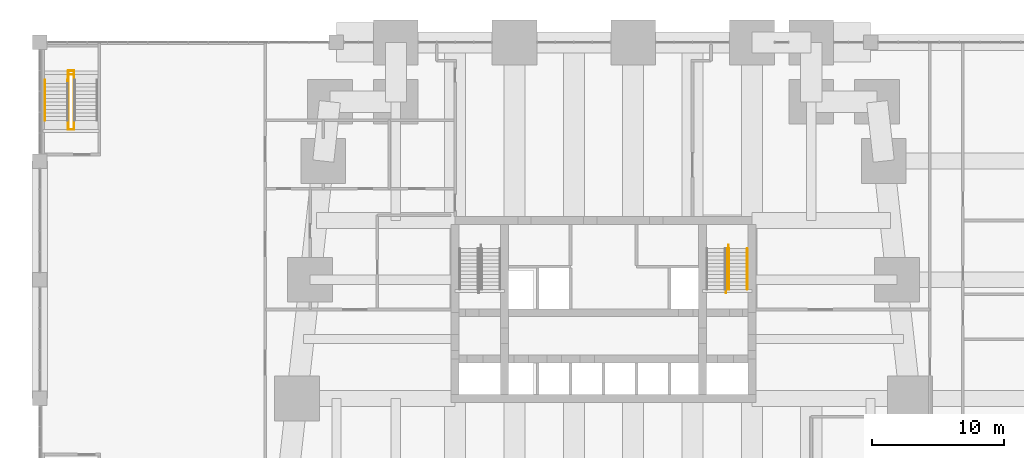
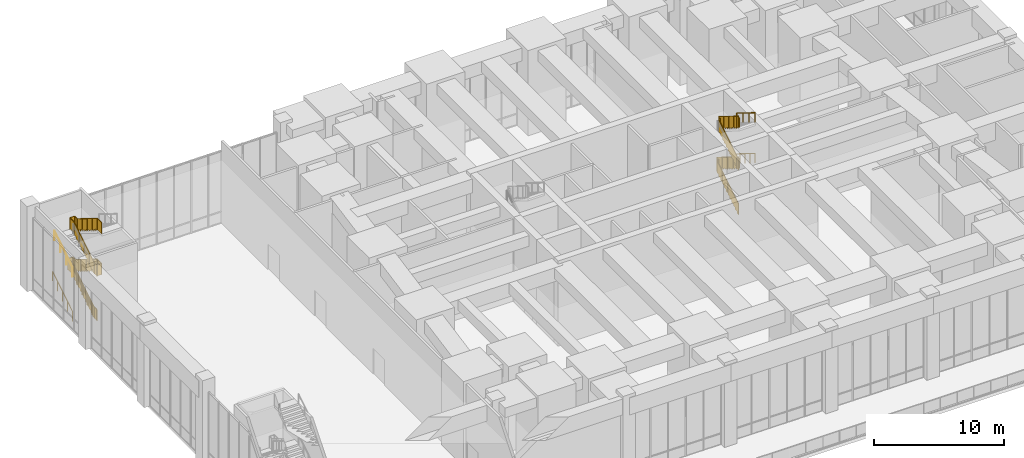
# One storey, part 25 of 26: 15 railings.
"""IFC4 building model written with IfcOpenShell, lengths in metres."""

from ifc_helpers import new_model, si_unit, direction, frame, origin, origin_2d, place, context, subcontext, project, spatial, polyline, circle, outline, extrude, material, type_object, element, save


model = new_model("IFC4")

# Units and contexts
model_context = context("Model", 3, precision=1e-05, world=origin(), true_north=direction((0.0, 1.0)))
body_context = subcontext(model_context, "Body", "Model", "MODEL_VIEW")
ifc_project = project(units=[si_unit("LENGTHUNIT", "METRE"), si_unit("AREAUNIT", "SQUARE_METRE"), si_unit("VOLUMEUNIT", "CUBIC_METRE"), si_unit("PLANEANGLEUNIT", "RADIAN"), si_unit("MASSUNIT", "GRAM", prefix="KILO")], contexts=[model_context])

# Site, building, storey
site_placement = place(None, origin())
site = spatial("IfcSite", under=ifc_project, at=site_placement, CompositionType="ELEMENT")
building_placement = place(site_placement, origin())
building = spatial("IfcBuilding", under=site, at=building_placement, Name="Kilele Tower Hotel", CompositionType="ELEMENT")
storey_placement = place(building_placement, frame((0.0, 0.0, 11.0)))
storey = spatial("IfcBuildingStorey", under=building, at=storey_placement, Name="L02", CompositionType="ELEMENT", Elevation=11.0)

# Railings
ifc_material_1 = material(Name="Steel handrail", Category="steel")
railing_type_1 = type_object("IfcRailingType", Name="Handrail 900", PredefinedType="HANDRAIL", material=ifc_material_1)
for number, where, name in (
    (1, (34.27490234375, 24.85498046875, 2.260986328125), "Handrail ST2 flight 2"),
    (2, (35.64990234375, 24.85498046875, 2.260986328125), "Handrail ST2 flight 2"),
):
    element("IfcRailing", number, at=place(storey_placement, frame(where)), inside=storey, type_object=railing_type_1, Name=name, PredefinedType="HANDRAIL", context=body_context, shape_type="SweptSolid", body=[
        extrude(circle(Radius=0.02490234375, at=origin_2d()), frame((0.0, 0.0, 0.875), z_axis=(0.0, -0.849508011154, 0.527575718722), x_axis=(1.0, 0.0, 0.0)), (0.0, 0.0, 1.0), 3.625732421875),
        extrude(circle(Radius=0.02001953125, at=origin_2d()), origin(), (0.0, 0.0, 1.0), 0.849853515625),
        extrude(circle(Radius=0.02001953125, at=origin_2d()), frame((0.0, -0.77001953125, 0.478271484375)), (0.0, 0.0, 1.0), 0.849853515625),
        extrude(circle(Radius=0.02001953125, at=origin_2d()), frame((0.0, -1.5400390625, 0.95654296875)), (0.0, 0.0, 1.0), 0.849853515625),
        extrude(circle(Radius=0.02001953125, at=origin_2d()), frame((0.0, -2.31005859375, 1.4345703125)), (0.0, 0.0, 1.0), 0.849853515625),
        extrude(circle(Radius=0.02001953125, at=origin_2d()), frame((0.0, -3.080078125, 1.912841796875)), (0.0, 0.0, 1.0), 0.849853515625),
    ])
for number, where, name in (
    (3, (34.27490234375, 24.574951171875, 6.260986328125), "Handrail ST2 flight 4"),
    (4, (35.64990234375, 24.574951171875, 6.260986328125), "Handrail ST2 flight 4"),
):
    element("IfcRailing", number, at=place(storey_placement, frame(where)), inside=storey, type_object=railing_type_1, Name=name, PredefinedType="HANDRAIL", context=body_context, shape_type="SweptSolid", body=[
        extrude(circle(Radius=0.02490234375, at=origin_2d()), frame((0.0, 0.0, 0.875), z_axis=(0.0, -0.849497083269, 0.527593314511), x_axis=(1.0, 0.0, 0.0)), (0.0, 0.0, 1.0), 3.296142578125),
        extrude(circle(Radius=0.02001953125, at=origin_2d()), origin(), (0.0, 0.0, 1.0), 0.849853515625),
        extrude(circle(Radius=0.02001953125, at=origin_2d()), frame((0.0, -0.933349609375, 0.57958984375)), (0.0, 0.0, 1.0), 0.849853515625),
        extrude(circle(Radius=0.02001953125, at=origin_2d()), frame((0.0, -1.86669921875, 1.159423828125)), (0.0, 0.0, 1.0), 0.849853515625),
        extrude(circle(Radius=0.02001953125, at=origin_2d()), frame((0.0, -2.800048828125, 1.739013671875)), (0.0, 0.0, 1.0), 0.849853515625),
    ])
for number, where, name in (
    (5, (-17.60009765625, 34.5849609375, 0.173828125), "Handrail ST3 flight 1"),
    (6, (-15.89990234375, 34.5849609375, 0.173828125), "Handrail ST3 flight 1"),
):
    element("IfcRailing", number, at=place(storey_placement, frame(where)), inside=storey, type_object=railing_type_1, Name=name, PredefinedType="HANDRAIL", context=body_context, shape_type="SweptSolid", body=[
        extrude(circle(Radius=0.02490234375, at=origin_2d()), frame((0.0, 0.0, 0.875), z_axis=(0.0, 0.849477832307, 0.527624309921), x_axis=(-1.0, 0.0, 0.0)), (0.0, 0.0, 1.0), 3.625732421875),
        extrude(circle(Radius=0.02001953125, at=origin_2d()), origin(), (0.0, 0.0, 1.0), 0.849853515625),
        extrude(circle(Radius=0.02001953125, at=origin_2d()), frame((0.0, 0.77001953125, 0.478271484375)), (0.0, 0.0, 1.0), 0.849853515625),
        extrude(circle(Radius=0.02001953125, at=origin_2d()), frame((0.0, 1.5400390625, 0.95654296875)), (0.0, 0.0, 1.0), 0.849853515625),
        extrude(circle(Radius=0.02001953125, at=origin_2d()), frame((0.0, 2.31005859375, 1.434814453125)), (0.0, 0.0, 1.0), 0.849853515625),
        extrude(circle(Radius=0.02001953125, at=origin_2d()), frame((0.0, 3.080078125, 1.9130859375)), (0.0, 0.0, 1.0), 0.849853515625),
    ])
railing_1_placement = place(storey_placement, frame((-17.60009765625, 34.5849609375, 4.347900390625)))
element("IfcRailing", 7, at=railing_1_placement, inside=storey, type_object=railing_type_1, Name="Handrail ST3 flight 3", PredefinedType="HANDRAIL", context=body_context, shape_type="SweptSolid", body=[
    extrude(circle(Radius=0.02490234375, at=origin_2d()), frame((0.0, 0.0, 0.875), z_axis=(0.0, 0.849497083269, 0.527593314511), x_axis=(-1.0, 0.0, 0.0)), (0.0, 0.0, 1.0), 3.296142578125),
    extrude(circle(Radius=0.02001953125, at=origin_2d()), origin(), (0.0, 0.0, 1.0), 0.849853515625),
    extrude(circle(Radius=0.02001953125, at=origin_2d()), frame((0.0, 0.933349609375, 0.57958984375)), (0.0, 0.0, 1.0), 0.849853515625),
    extrude(circle(Radius=0.02001953125, at=origin_2d()), frame((0.0, 1.86669921875, 1.159423828125)), (0.0, 0.0, 1.0), 0.849853515625),
    extrude(circle(Radius=0.02001953125, at=origin_2d()), frame((0.0, 2.800048828125, 1.739013671875)), (0.0, 0.0, 1.0), 0.849853515625),
])
ifc_material_2 = material(Name="Steel guard", Category="steel")
railing_type_2 = type_object("IfcRailingType", Name="Stair guard 1100", PredefinedType="GUARDRAIL", material=ifc_material_2)
railing_2_placement = place(storey_placement, frame((34.034912109375, 21.4951171875, 0.0)))
element("IfcRailing", 8, at=railing_2_placement, inside=storey, type_object=railing_type_2, Name="Stair well guard ST2 flight 1", PredefinedType="GUARDRAIL", context=body_context, shape_type="SweptSolid", body=[
    extrude(circle(Radius=0.02490234375, at=origin_2d()), frame((0.0, 0.0, 1.0751953125), z_axis=(0.0, 0.849472271014, 0.527633263525), x_axis=(-1.0, 0.0, 0.0)), (0.0, 0.0, 1.0), 3.955322265625),
    extrude(circle(Radius=0.02490234375, at=origin_2d()), frame((0.0, 3.35986328125, 3.162109375), z_axis=(1.0, 0.0, 0.0), x_axis=(0.0, 1.0, 0.0)), (0.0, 0.0, 1.0), 0.18017578125),
    extrude(circle(Radius=0.02490234375, at=origin_2d()), origin(), (0.0, 0.0, 1.0), 1.050048828125),
    extrude(circle(Radius=0.02490234375, at=origin_2d()), frame((0.0, 0.83984375, 0.521728515625)), (0.0, 0.0, 1.0), 1.050048828125),
    extrude(circle(Radius=0.02490234375, at=origin_2d()), frame((0.0, 1.679931640625, 1.04345703125)), (0.0, 0.0, 1.0), 1.050048828125),
    extrude(circle(Radius=0.02490234375, at=origin_2d()), frame((0.0, 2.52001953125, 1.565185546875)), (0.0, 0.0, 1.0), 1.050048828125),
    extrude(circle(Radius=0.02490234375, at=origin_2d()), frame((0.0, 3.35986328125, 2.0869140625)), (0.0, 0.0, 1.0), 1.050048828125),
    extrude(circle(Radius=0.02490234375, at=origin_2d()), frame((0.18017578125, 3.35986328125, 2.0869140625)), (0.0, 0.0, 1.0), 1.050048828125),
    extrude(outline(polyline([(0.012451171875, 0.030029296875), (0.25, 0.030029296875), (0.25, 0.203857421875), (0.530029296875, 0.203857421875), (0.530029296875, 0.3779296875), (0.81005859375, 0.3779296875), (0.81005859375, 0.5517578125), (1.08984375, 0.5517578125), (1.08984375, 0.7255859375), (1.369873046875, 0.7255859375), (1.369873046875, 0.899658203125), (1.64990234375, 0.899658203125), (1.64990234375, 1.073486328125), (1.929931640625, 1.073486328125), (1.929931640625, 1.247314453125), (2.2099609375, 1.247314453125), (2.2099609375, 1.42138671875), (2.48974609375, 1.42138671875), (2.48974609375, 1.59521484375), (2.769775390625, 1.59521484375), (2.769775390625, 1.76904296875), (3.0498046875, 1.76904296875), (3.0498046875, 1.943115234375), (3.329833984375, 1.943115234375), (3.329833984375, 2.116943359375), (3.347412109375, 2.116943359375), (3.347412109375, 3.124755859375), (0.012451171875, 1.053466796875), (0.012451171875, 0.030029296875)])), frame((-0.005859375, 0.0, 0.0), z_axis=(1.0, 0.0, 0.0), x_axis=(0.0, 1.0, 0.0)), (0.0, 0.0, 1.0), 0.011962890625),
    extrude(outline(polyline([(0.012451171875, 0.030029296875), (0.18017578125, 0.030029296875), (0.18017578125, 1.050048828125), (0.012451171875, 1.050048828125), (0.012451171875, 0.030029296875)])), frame((0.0, 3.36572265625, 2.0869140625), z_axis=(0.0, -1.0, 0.0), x_axis=(1.0, 0.0, 0.0)), (0.0, 0.0, 1.0), 0.011962890625),
])
railing_3_placement = place(storey_placement, frame((34.215087890625, 25.135009765625, 2.0869140625)))
element("IfcRailing", 9, at=railing_3_placement, inside=storey, type_object=railing_type_2, Name="Stair well guard ST2 flight 2", PredefinedType="GUARDRAIL", context=body_context, shape_type="SweptSolid", body=[
    extrude(circle(Radius=0.02490234375, at=origin_2d()), frame((0.0, 0.0, 1.0751953125), z_axis=(0.0, -0.849489453968, 0.527605598527), x_axis=(1.0, 0.0, 0.0)), (0.0, 0.0, 1.0), 3.955322265625),
    extrude(circle(Radius=0.02490234375, at=origin_2d()), frame((0.0, -3.360107421875, 3.162109375), z_axis=(-1.0, 0.0, 0.0), x_axis=(0.0, -1.0, 0.0)), (0.0, 0.0, 1.0), 0.18017578125),
    extrude(circle(Radius=0.02490234375, at=origin_2d()), origin(), (0.0, 0.0, 1.0), 1.050048828125),
    extrude(circle(Radius=0.02490234375, at=origin_2d()), frame((0.0, -0.840087890625, 0.521728515625)), (0.0, 0.0, 1.0), 1.050048828125),
    extrude(circle(Radius=0.02490234375, at=origin_2d()), frame((0.0, -1.68017578125, 1.04345703125)), (0.0, 0.0, 1.0), 1.050048828125),
    extrude(circle(Radius=0.02490234375, at=origin_2d()), frame((0.0, -2.52001953125, 1.565185546875)), (0.0, 0.0, 1.0), 1.050048828125),
    extrude(circle(Radius=0.02490234375, at=origin_2d()), frame((0.0, -3.360107421875, 2.0869140625)), (0.0, 0.0, 1.0), 1.050048828125),
    extrude(circle(Radius=0.02490234375, at=origin_2d()), frame((-0.18017578125, -3.360107421875, 2.0869140625)), (0.0, 0.0, 1.0), 1.050048828125),
    extrude(outline(polyline([(0.0, 0.030029296875), (0.25, 0.030029296875), (0.25, 0.203857421875), (0.530029296875, 0.203857421875), (0.530029296875, 0.3779296875), (0.81005859375, 0.3779296875), (0.81005859375, 0.5517578125), (1.090087890625, 0.5517578125), (1.090087890625, 0.7255859375), (1.3701171875, 0.7255859375), (1.3701171875, 0.899658203125), (1.64990234375, 0.899658203125), (1.64990234375, 1.073486328125), (1.929931640625, 1.073486328125), (1.929931640625, 1.247314453125), (2.2099609375, 1.247314453125), (2.2099609375, 1.42138671875), (2.489990234375, 1.42138671875), (2.489990234375, 1.59521484375), (2.77001953125, 1.59521484375), (2.77001953125, 1.76904296875), (3.050048828125, 1.76904296875), (3.050048828125, 1.943115234375), (3.330078125, 1.943115234375), (3.330078125, 2.116943359375), (3.34765625, 2.116943359375), (3.34765625, 3.124755859375), (0.0, 1.045654296875), (0.0, 0.030029296875)])), frame((0.005859375, 0.0, 0.0), z_axis=(-1.0, 0.0, 0.0), x_axis=(0.0, -1.0, 0.0)), (0.0, 0.0, 1.0), 0.011962890625),
    extrude(outline(polyline([(0.012451171875, 0.030029296875), (0.18017578125, 0.030029296875), (0.18017578125, 1.050048828125), (0.012451171875, 1.050048828125), (0.012451171875, 0.030029296875)])), frame((0.0, -3.3662109375, 2.0869140625), z_axis=(0.0, 1.0, 0.0), x_axis=(-1.0, 0.0, 0.0)), (0.0, 0.0, 1.0), 0.011962890625),
])
railing_4_placement = place(storey_placement, frame((34.034912109375, 21.4951171875, 4.173828125)))
element("IfcRailing", 10, at=railing_4_placement, inside=storey, type_object=railing_type_2, Name="Stair well guard ST2 flight 3", PredefinedType="GUARDRAIL", context=body_context, shape_type="SweptSolid", body=[
    extrude(circle(Radius=0.02490234375, at=origin_2d()), frame((0.0, 0.0, 1.0751953125), z_axis=(0.0, 0.849459085935, 0.527654490479), x_axis=(-1.0, 0.0, 0.0)), (0.0, 0.0, 1.0), 3.625732421875),
    extrude(circle(Radius=0.02490234375, at=origin_2d()), frame((0.0, 3.079833984375, 2.98828125), z_axis=(1.0, 0.0, 0.0), x_axis=(0.0, 1.0, 0.0)), (0.0, 0.0, 1.0), 0.18017578125),
    extrude(circle(Radius=0.02490234375, at=origin_2d()), origin(), (0.0, 0.0, 1.0), 1.050048828125),
    extrude(circle(Radius=0.02490234375, at=origin_2d()), frame((0.0, 0.77001953125, 0.478271484375)), (0.0, 0.0, 1.0), 1.050048828125),
    extrude(circle(Radius=0.02490234375, at=origin_2d()), frame((0.0, 1.5400390625, 0.95654296875)), (0.0, 0.0, 1.0), 1.050048828125),
    extrude(circle(Radius=0.02490234375, at=origin_2d()), frame((0.0, 2.309814453125, 1.434814453125)), (0.0, 0.0, 1.0), 1.050048828125),
    extrude(circle(Radius=0.02490234375, at=origin_2d()), frame((0.0, 3.079833984375, 1.9130859375)), (0.0, 0.0, 1.0), 1.050048828125),
    extrude(circle(Radius=0.02490234375, at=origin_2d()), frame((0.18017578125, 3.079833984375, 1.9130859375)), (0.0, 0.0, 1.0), 1.050048828125),
    extrude(outline(polyline([(0.012451171875, 0.030029296875), (0.25, 0.030029296875), (0.25, 0.203857421875), (0.530029296875, 0.203857421875), (0.530029296875, 0.3779296875), (0.809814453125, 0.3779296875), (0.809814453125, 0.5517578125), (1.08984375, 0.5517578125), (1.08984375, 0.7255859375), (1.369873046875, 0.7255859375), (1.369873046875, 0.899658203125), (1.64990234375, 0.899658203125), (1.64990234375, 1.073486328125), (1.929931640625, 1.073486328125), (1.929931640625, 1.24755859375), (2.2099609375, 1.24755859375), (2.2099609375, 1.42138671875), (2.48974609375, 1.42138671875), (2.48974609375, 1.59521484375), (2.769775390625, 1.59521484375), (2.769775390625, 1.769287109375), (3.0498046875, 1.769287109375), (3.0498046875, 1.943115234375), (3.0673828125, 1.943115234375), (3.0673828125, 2.950927734375), (0.012451171875, 1.053466796875), (0.012451171875, 0.030029296875)])), frame((-0.005859375, 0.0, 0.0), z_axis=(1.0, 0.0, 0.0), x_axis=(0.0, 1.0, 0.0)), (0.0, 0.0, 1.0), 0.011962890625),
    extrude(outline(polyline([(0.012451171875, 0.030029296875), (0.18017578125, 0.030029296875), (0.18017578125, 1.050048828125), (0.012451171875, 1.050048828125), (0.012451171875, 0.030029296875)])), frame((0.0, 3.0859375, 1.9130859375), z_axis=(0.0, -1.0, 0.0), x_axis=(1.0, 0.0, 0.0)), (0.0, 0.0, 1.0), 0.011962890625),
])
railing_5_placement = place(storey_placement, frame((34.215087890625, 24.85498046875, 6.0869140625)))
element("IfcRailing", 11, at=railing_5_placement, inside=storey, type_object=railing_type_2, Name="Stair well guard ST2 flight 4", PredefinedType="GUARDRAIL", context=body_context, shape_type="SweptSolid", body=[
    extrude(circle(Radius=0.02490234375, at=origin_2d()), frame((0.0, 0.0, 1.0751953125), z_axis=(0.0, -0.849477832307, 0.527624309921), x_axis=(1.0, 0.0, 0.0)), (0.0, 0.0, 1.0), 3.625732421875),
    extrude(circle(Radius=0.02490234375, at=origin_2d()), frame((0.0, -3.080078125, 2.98828125), z_axis=(-1.0, 0.0, 0.0), x_axis=(0.0, -1.0, 0.0)), (0.0, 0.0, 1.0), 0.18017578125),
    extrude(circle(Radius=0.02490234375, at=origin_2d()), origin(), (0.0, 0.0, 1.0), 1.050048828125),
    extrude(circle(Radius=0.02490234375, at=origin_2d()), frame((0.0, -0.77001953125, 0.478271484375)), (0.0, 0.0, 1.0), 1.050048828125),
    extrude(circle(Radius=0.02490234375, at=origin_2d()), frame((0.0, -1.5400390625, 0.95654296875)), (0.0, 0.0, 1.0), 1.050048828125),
    extrude(circle(Radius=0.02490234375, at=origin_2d()), frame((0.0, -2.31005859375, 1.434814453125)), (0.0, 0.0, 1.0), 1.050048828125),
    extrude(circle(Radius=0.02490234375, at=origin_2d()), frame((0.0, -3.080078125, 1.9130859375)), (0.0, 0.0, 1.0), 1.050048828125),
    extrude(circle(Radius=0.02490234375, at=origin_2d()), frame((-0.18017578125, -3.080078125, 1.9130859375)), (0.0, 0.0, 1.0), 1.050048828125),
    extrude(outline(polyline([(0.0, 0.030029296875), (0.25, 0.030029296875), (0.25, 0.203857421875), (0.530029296875, 0.203857421875), (0.530029296875, 0.3779296875), (0.81005859375, 0.3779296875), (0.81005859375, 0.5517578125), (1.090087890625, 0.5517578125), (1.090087890625, 0.7255859375), (1.3701171875, 0.7255859375), (1.3701171875, 0.899658203125), (1.64990234375, 0.899658203125), (1.64990234375, 1.073486328125), (1.929931640625, 1.073486328125), (1.929931640625, 1.24755859375), (2.2099609375, 1.24755859375), (2.2099609375, 1.42138671875), (2.489990234375, 1.42138671875), (2.489990234375, 1.59521484375), (2.77001953125, 1.59521484375), (2.77001953125, 1.769287109375), (3.050048828125, 1.769287109375), (3.050048828125, 1.943115234375), (3.067626953125, 1.943115234375), (3.067626953125, 2.950927734375), (0.0, 1.045654296875), (0.0, 0.030029296875)])), frame((0.005859375, 0.0, 0.0), z_axis=(-1.0, 0.0, 0.0), x_axis=(0.0, -1.0, 0.0)), (0.0, 0.0, 1.0), 0.011962890625),
    extrude(outline(polyline([(0.012451171875, 0.030029296875), (0.18017578125, 0.030029296875), (0.18017578125, 1.050048828125), (0.012451171875, 1.050048828125), (0.012451171875, 0.030029296875)])), frame((0.0, -3.0859375, 1.9130859375), z_axis=(0.0, 1.0, 0.0), x_axis=(-1.0, 0.0, 0.0)), (0.0, 0.0, 1.0), 0.011962890625),
])
railing_6_placement = place(storey_placement, frame((-15.840087890625, 33.89990234375, 0.0)))
element("IfcRailing", 12, at=railing_6_placement, inside=storey, type_object=railing_type_2, Name="Stair well guard ST3 flight 1", PredefinedType="GUARDRAIL", context=body_context, shape_type="SweptSolid", body=[
    extrude(circle(Radius=0.02490234375, at=origin_2d()), frame((0.0, 0.0, 1.0751953125), z_axis=(0.0, 1.0, 0.0), x_axis=(-1.0, 0.0, 0.0)), (0.0, 0.0, 1.0), 0.405029296875),
    extrude(circle(Radius=0.02490234375, at=origin_2d()), frame((0.0, 0.405029296875, 1.0751953125), z_axis=(0.0, 0.849489453968, 0.527605598527), x_axis=(-1.0, 0.0, 0.0)), (0.0, 0.0, 1.0), 3.955322265625),
    extrude(circle(Radius=0.02490234375, at=origin_2d()), frame((0.0, 3.76513671875, 3.162109375), z_axis=(0.0, 1.0, 0.0), x_axis=(-1.0, 0.0, 0.0)), (0.0, 0.0, 1.0), 0.68505859375),
    extrude(circle(Radius=0.02490234375, at=origin_2d()), frame((0.0, 4.4501953125, 3.162109375), z_axis=(1.0, 0.0, 0.0), x_axis=(0.0, 1.0, 0.0)), (0.0, 0.0, 1.0), 0.43017578125),
    extrude(circle(Radius=0.02490234375, at=origin_2d()), origin(), (0.0, 0.0, 1.0), 1.050048828125),
    extrude(circle(Radius=0.02490234375, at=origin_2d()), frame((0.0, 0.405029296875, 0.0)), (0.0, 0.0, 1.0), 1.050048828125),
    extrude(circle(Radius=0.02490234375, at=origin_2d()), frame((0.0, 1.2451171875, 0.521728515625)), (0.0, 0.0, 1.0), 1.050048828125),
    extrude(circle(Radius=0.02490234375, at=origin_2d()), frame((0.0, 2.0849609375, 1.04345703125)), (0.0, 0.0, 1.0), 1.050048828125),
    extrude(circle(Radius=0.02490234375, at=origin_2d()), frame((0.0, 2.925048828125, 1.565185546875)), (0.0, 0.0, 1.0), 1.050048828125),
    extrude(circle(Radius=0.02490234375, at=origin_2d()), frame((0.0, 3.76513671875, 2.0869140625)), (0.0, 0.0, 1.0), 1.050048828125),
    extrude(circle(Radius=0.02490234375, at=origin_2d()), frame((0.0, 4.4501953125, 2.0869140625)), (0.0, 0.0, 1.0), 1.050048828125),
    extrude(circle(Radius=0.02490234375, at=origin_2d()), frame((0.43017578125, 4.4501953125, 2.0869140625)), (0.0, 0.0, 1.0), 1.050048828125),
    extrude(outline(polyline([(0.0, 0.030029296875), (0.392578125, 0.030029296875), (0.392578125, 1.050048828125), (0.0, 1.050048828125), (0.0, 0.030029296875)])), frame((-0.005859375, 0.0, 0.0), z_axis=(1.0, 0.0, 0.0), x_axis=(0.0, 1.0, 0.0)), (0.0, 0.0, 1.0), 0.011962890625),
    extrude(outline(polyline([(0.012451171875, 0.030029296875), (0.25, 0.030029296875), (0.25, 0.203857421875), (0.530029296875, 0.203857421875), (0.530029296875, 0.3779296875), (0.81005859375, 0.3779296875), (0.81005859375, 0.5517578125), (1.090087890625, 0.5517578125), (1.090087890625, 0.7255859375), (1.3701171875, 0.7255859375), (1.3701171875, 0.899658203125), (1.64990234375, 0.899658203125), (1.64990234375, 1.073486328125), (1.929931640625, 1.073486328125), (1.929931640625, 1.247314453125), (2.2099609375, 1.247314453125), (2.2099609375, 1.42138671875), (2.489990234375, 1.42138671875), (2.489990234375, 1.59521484375), (2.77001953125, 1.59521484375), (2.77001953125, 1.76904296875), (3.050048828125, 1.76904296875), (3.050048828125, 1.943115234375), (3.330078125, 1.943115234375), (3.330078125, 2.116943359375), (3.34765625, 2.116943359375), (3.34765625, 3.124755859375), (0.012451171875, 1.053466796875), (0.012451171875, 0.030029296875)])), frame((-0.005859375, 0.405029296875, 0.0), z_axis=(1.0, 0.0, 0.0), x_axis=(0.0, 1.0, 0.0)), (0.0, 0.0, 1.0), 0.011962890625),
    extrude(outline(polyline([(0.012451171875, 0.030029296875), (0.672607421875, 0.030029296875), (0.672607421875, 1.050048828125), (0.012451171875, 1.050048828125), (0.012451171875, 0.030029296875)])), frame((-0.005859375, 3.76513671875, 2.0869140625), z_axis=(1.0, 0.0, 0.0), x_axis=(0.0, 1.0, 0.0)), (0.0, 0.0, 1.0), 0.011962890625),
    extrude(outline(polyline([(0.012451171875, 0.030029296875), (0.43017578125, 0.030029296875), (0.43017578125, 1.050048828125), (0.012451171875, 1.050048828125), (0.012451171875, 0.030029296875)])), frame((0.0, 4.4560546875, 2.0869140625), z_axis=(0.0, -1.0, 0.0), x_axis=(1.0, 0.0, 0.0)), (0.0, 0.0, 1.0), 0.011962890625),
])
railing_7_placement = place(storey_placement, frame((-15.409912109375, 38.35009765625, 2.0869140625)))
element("IfcRailing", 13, at=railing_7_placement, inside=storey, type_object=railing_type_2, Name="Stair well guard ST3 flight 2", PredefinedType="GUARDRAIL", context=body_context, shape_type="SweptSolid", body=[
    extrude(circle(Radius=0.02490234375, at=origin_2d()), frame((0.0, 0.0, 1.0751953125), z_axis=(0.0, -1.0, 0.0), x_axis=(1.0, 0.0, 0.0)), (0.0, 0.0, 1.0), 0.405029296875),
    extrude(circle(Radius=0.02490234375, at=origin_2d()), frame((0.0, -0.405029296875, 1.0751953125), z_axis=(0.0, -0.849489453968, 0.527605598527), x_axis=(1.0, 0.0, 0.0)), (0.0, 0.0, 1.0), 3.955322265625),
    extrude(circle(Radius=0.02490234375, at=origin_2d()), frame((0.0, -3.76513671875, 3.162109375), z_axis=(0.0, -1.0, 0.0), x_axis=(1.0, 0.0, 0.0)), (0.0, 0.0, 1.0), 0.68505859375),
    extrude(circle(Radius=0.02490234375, at=origin_2d()), frame((0.0, -4.4501953125, 3.162109375), z_axis=(-1.0, 0.0, 0.0), x_axis=(0.0, -1.0, 0.0)), (0.0, 0.0, 1.0), 0.43017578125),
    extrude(circle(Radius=0.02490234375, at=origin_2d()), origin(), (0.0, 0.0, 1.0), 1.050048828125),
    extrude(circle(Radius=0.02490234375, at=origin_2d()), frame((0.0, -0.405029296875, 0.0)), (0.0, 0.0, 1.0), 1.050048828125),
    extrude(circle(Radius=0.02490234375, at=origin_2d()), frame((0.0, -1.2451171875, 0.521728515625)), (0.0, 0.0, 1.0), 1.050048828125),
    extrude(circle(Radius=0.02490234375, at=origin_2d()), frame((0.0, -2.0849609375, 1.04345703125)), (0.0, 0.0, 1.0), 1.050048828125),
    extrude(circle(Radius=0.02490234375, at=origin_2d()), frame((0.0, -2.925048828125, 1.565185546875)), (0.0, 0.0, 1.0), 1.050048828125),
    extrude(circle(Radius=0.02490234375, at=origin_2d()), frame((0.0, -3.76513671875, 2.0869140625)), (0.0, 0.0, 1.0), 1.050048828125),
    extrude(circle(Radius=0.02490234375, at=origin_2d()), frame((0.0, -4.4501953125, 2.0869140625)), (0.0, 0.0, 1.0), 1.050048828125),
    extrude(circle(Radius=0.02490234375, at=origin_2d()), frame((-0.43017578125, -4.4501953125, 2.0869140625)), (0.0, 0.0, 1.0), 1.050048828125),
    extrude(outline(polyline([(0.0, 0.030029296875), (0.392578125, 0.030029296875), (0.392578125, 1.050048828125), (0.0, 1.050048828125), (0.0, 0.030029296875)])), frame((0.005859375, 0.0, 0.0), z_axis=(-1.0, 0.0, 0.0), x_axis=(0.0, -1.0, 0.0)), (0.0, 0.0, 1.0), 0.011962890625),
    extrude(outline(polyline([(0.012451171875, 0.030029296875), (0.25, 0.030029296875), (0.25, 0.203857421875), (0.530029296875, 0.203857421875), (0.530029296875, 0.3779296875), (0.81005859375, 0.3779296875), (0.81005859375, 0.5517578125), (1.090087890625, 0.5517578125), (1.090087890625, 0.7255859375), (1.3701171875, 0.7255859375), (1.3701171875, 0.899658203125), (1.64990234375, 0.899658203125), (1.64990234375, 1.073486328125), (1.929931640625, 1.073486328125), (1.929931640625, 1.247314453125), (2.2099609375, 1.247314453125), (2.2099609375, 1.42138671875), (2.489990234375, 1.42138671875), (2.489990234375, 1.59521484375), (2.77001953125, 1.59521484375), (2.77001953125, 1.76904296875), (3.050048828125, 1.76904296875), (3.050048828125, 1.943115234375), (3.330078125, 1.943115234375), (3.330078125, 2.116943359375), (3.34765625, 2.116943359375), (3.34765625, 3.124755859375), (0.012451171875, 1.053466796875), (0.012451171875, 0.030029296875)])), frame((0.005859375, -0.405029296875, 0.0), z_axis=(-1.0, 0.0, 0.0), x_axis=(0.0, -1.0, 0.0)), (0.0, 0.0, 1.0), 0.011962890625),
    extrude(outline(polyline([(0.012451171875, 0.030029296875), (0.672607421875, 0.030029296875), (0.672607421875, 1.050048828125), (0.012451171875, 1.050048828125), (0.012451171875, 0.030029296875)])), frame((0.005859375, -3.76513671875, 2.0869140625), z_axis=(-1.0, 0.0, 0.0), x_axis=(0.0, -1.0, 0.0)), (0.0, 0.0, 1.0), 0.011962890625),
    extrude(outline(polyline([(0.012451171875, 0.030029296875), (0.43017578125, 0.030029296875), (0.43017578125, 1.050048828125), (0.012451171875, 1.050048828125), (0.012451171875, 0.030029296875)])), frame((0.0, -4.4560546875, 2.0869140625), z_axis=(0.0, 1.0, 0.0), x_axis=(-1.0, 0.0, 0.0)), (0.0, 0.0, 1.0), 0.011962890625),
])
railing_8_placement = place(storey_placement, frame((-15.840087890625, 33.89990234375, 4.173828125)))
element("IfcRailing", 14, at=railing_8_placement, inside=storey, type_object=railing_type_2, Name="Stair well guard ST3 flight 3", PredefinedType="GUARDRAIL", context=body_context, shape_type="SweptSolid", body=[
    extrude(circle(Radius=0.02490234375, at=origin_2d()), frame((0.0, 0.0, 1.0751953125), z_axis=(0.0, 1.0, 0.0), x_axis=(-1.0, 0.0, 0.0)), (0.0, 0.0, 1.0), 0.405029296875),
    extrude(circle(Radius=0.02490234375, at=origin_2d()), frame((0.0, 0.405029296875, 1.0751953125), z_axis=(0.0, 0.849477832307, 0.527624309921), x_axis=(-1.0, 0.0, 0.0)), (0.0, 0.0, 1.0), 3.625732421875),
    extrude(circle(Radius=0.02490234375, at=origin_2d()), frame((0.0, 3.485107421875, 2.98828125), z_axis=(0.0, 1.0, 0.0), x_axis=(-1.0, 0.0, 0.0)), (0.0, 0.0, 1.0), 0.68505859375),
    extrude(circle(Radius=0.02490234375, at=origin_2d()), frame((0.0, 4.170166015625, 2.98828125), z_axis=(1.0, 0.0, 0.0), x_axis=(0.0, 1.0, 0.0)), (0.0, 0.0, 1.0), 0.43017578125),
    extrude(circle(Radius=0.02490234375, at=origin_2d()), origin(), (0.0, 0.0, 1.0), 1.050048828125),
    extrude(circle(Radius=0.02490234375, at=origin_2d()), frame((0.0, 0.405029296875, 0.0)), (0.0, 0.0, 1.0), 1.050048828125),
    extrude(circle(Radius=0.02490234375, at=origin_2d()), frame((0.0, 1.175048828125, 0.478271484375)), (0.0, 0.0, 1.0), 1.050048828125),
    extrude(circle(Radius=0.02490234375, at=origin_2d()), frame((0.0, 1.945068359375, 0.95654296875)), (0.0, 0.0, 1.0), 1.050048828125),
    extrude(circle(Radius=0.02490234375, at=origin_2d()), frame((0.0, 2.715087890625, 1.434814453125)), (0.0, 0.0, 1.0), 1.050048828125),
    extrude(circle(Radius=0.02490234375, at=origin_2d()), frame((0.0, 3.485107421875, 1.9130859375)), (0.0, 0.0, 1.0), 1.050048828125),
    extrude(circle(Radius=0.02490234375, at=origin_2d()), frame((0.0, 4.170166015625, 1.9130859375)), (0.0, 0.0, 1.0), 1.050048828125),
    extrude(circle(Radius=0.02490234375, at=origin_2d()), frame((0.43017578125, 4.170166015625, 1.9130859375)), (0.0, 0.0, 1.0), 1.050048828125),
    extrude(outline(polyline([(0.0, 0.030029296875), (0.392578125, 0.030029296875), (0.392578125, 1.050048828125), (0.0, 1.050048828125), (0.0, 0.030029296875)])), frame((-0.005859375, 0.0, 0.0), z_axis=(1.0, 0.0, 0.0), x_axis=(0.0, 1.0, 0.0)), (0.0, 0.0, 1.0), 0.011962890625),
    extrude(outline(polyline([(0.012451171875, 0.030029296875), (0.25, 0.030029296875), (0.25, 0.203857421875), (0.530029296875, 0.203857421875), (0.530029296875, 0.3779296875), (0.81005859375, 0.3779296875), (0.81005859375, 0.5517578125), (1.090087890625, 0.5517578125), (1.090087890625, 0.7255859375), (1.3701171875, 0.7255859375), (1.3701171875, 0.899658203125), (1.64990234375, 0.899658203125), (1.64990234375, 1.073486328125), (1.929931640625, 1.073486328125), (1.929931640625, 1.24755859375), (2.2099609375, 1.24755859375), (2.2099609375, 1.42138671875), (2.489990234375, 1.42138671875), (2.489990234375, 1.59521484375), (2.77001953125, 1.59521484375), (2.77001953125, 1.769287109375), (3.050048828125, 1.769287109375), (3.050048828125, 1.943115234375), (3.067626953125, 1.943115234375), (3.067626953125, 2.950927734375), (0.012451171875, 1.053466796875), (0.012451171875, 0.030029296875)])), frame((-0.005859375, 0.405029296875, 0.0), z_axis=(1.0, 0.0, 0.0), x_axis=(0.0, 1.0, 0.0)), (0.0, 0.0, 1.0), 0.011962890625),
    extrude(outline(polyline([(0.012451171875, 0.030029296875), (0.672607421875, 0.030029296875), (0.672607421875, 1.050048828125), (0.012451171875, 1.050048828125), (0.012451171875, 0.030029296875)])), frame((-0.005859375, 3.485107421875, 1.9130859375), z_axis=(1.0, 0.0, 0.0), x_axis=(0.0, 1.0, 0.0)), (0.0, 0.0, 1.0), 0.011962890625),
    extrude(outline(polyline([(0.012451171875, 0.030029296875), (0.43017578125, 0.030029296875), (0.43017578125, 1.050048828125), (0.012451171875, 1.050048828125), (0.012451171875, 0.030029296875)])), frame((0.0, 4.17626953125, 1.9130859375), z_axis=(0.0, -1.0, 0.0), x_axis=(1.0, 0.0, 0.0)), (0.0, 0.0, 1.0), 0.011962890625),
])
railing_9_placement = place(storey_placement, frame((-15.409912109375, 38.070068359375, 6.0869140625)))
element("IfcRailing", 15, at=railing_9_placement, inside=storey, type_object=railing_type_2, Name="Stair well guard ST3 flight 4", PredefinedType="GUARDRAIL", context=body_context, shape_type="SweptSolid", body=[
    extrude(circle(Radius=0.02490234375, at=origin_2d()), frame((0.0, 0.0, 1.0751953125), z_axis=(0.0, -1.0, 0.0), x_axis=(1.0, 0.0, 0.0)), (0.0, 0.0, 1.0), 0.405029296875),
    extrude(circle(Radius=0.02490234375, at=origin_2d()), frame((0.0, -0.405029296875, 1.0751953125), z_axis=(0.0, -0.849477832307, 0.527624309921), x_axis=(1.0, 0.0, 0.0)), (0.0, 0.0, 1.0), 3.625732421875),
    extrude(circle(Radius=0.02490234375, at=origin_2d()), frame((0.0, -3.485107421875, 2.98828125), z_axis=(0.0, -1.0, 0.0), x_axis=(1.0, 0.0, 0.0)), (0.0, 0.0, 1.0), 0.68505859375),
    extrude(circle(Radius=0.02490234375, at=origin_2d()), origin(), (0.0, 0.0, 1.0), 1.050048828125),
    extrude(circle(Radius=0.02490234375, at=origin_2d()), frame((0.0, -0.405029296875, 0.0)), (0.0, 0.0, 1.0), 1.050048828125),
    extrude(circle(Radius=0.02490234375, at=origin_2d()), frame((0.0, -1.175048828125, 0.478271484375)), (0.0, 0.0, 1.0), 1.050048828125),
    extrude(circle(Radius=0.02490234375, at=origin_2d()), frame((0.0, -1.945068359375, 0.95654296875)), (0.0, 0.0, 1.0), 1.050048828125),
    extrude(circle(Radius=0.02490234375, at=origin_2d()), frame((0.0, -2.715087890625, 1.434814453125)), (0.0, 0.0, 1.0), 1.050048828125),
    extrude(circle(Radius=0.02490234375, at=origin_2d()), frame((0.0, -3.485107421875, 1.9130859375)), (0.0, 0.0, 1.0), 1.050048828125),
    extrude(circle(Radius=0.02490234375, at=origin_2d()), frame((0.0, -4.170166015625, 1.9130859375)), (0.0, 0.0, 1.0), 1.050048828125),
    extrude(outline(polyline([(0.0, 0.030029296875), (0.392578125, 0.030029296875), (0.392578125, 1.050048828125), (0.0, 1.050048828125), (0.0, 0.030029296875)])), frame((0.005859375, 0.0, 0.0), z_axis=(-1.0, 0.0, 0.0), x_axis=(0.0, -1.0, 0.0)), (0.0, 0.0, 1.0), 0.011962890625),
    extrude(outline(polyline([(0.012451171875, 0.030029296875), (0.25, 0.030029296875), (0.25, 0.203857421875), (0.530029296875, 0.203857421875), (0.530029296875, 0.3779296875), (0.81005859375, 0.3779296875), (0.81005859375, 0.5517578125), (1.090087890625, 0.5517578125), (1.090087890625, 0.7255859375), (1.3701171875, 0.7255859375), (1.3701171875, 0.899658203125), (1.64990234375, 0.899658203125), (1.64990234375, 1.073486328125), (1.929931640625, 1.073486328125), (1.929931640625, 1.24755859375), (2.2099609375, 1.24755859375), (2.2099609375, 1.42138671875), (2.489990234375, 1.42138671875), (2.489990234375, 1.59521484375), (2.77001953125, 1.59521484375), (2.77001953125, 1.769287109375), (3.050048828125, 1.769287109375), (3.050048828125, 1.943115234375), (3.067626953125, 1.943115234375), (3.067626953125, 2.950927734375), (0.012451171875, 1.053466796875), (0.012451171875, 0.030029296875)])), frame((0.005859375, -0.405029296875, 0.0), z_axis=(-1.0, 0.0, 0.0), x_axis=(0.0, -1.0, 0.0)), (0.0, 0.0, 1.0), 0.011962890625),
    extrude(outline(polyline([(0.012451171875, 0.030029296875), (0.68505859375, 0.030029296875), (0.68505859375, 1.050048828125), (0.012451171875, 1.050048828125), (0.012451171875, 0.030029296875)])), frame((0.005859375, -3.485107421875, 1.9130859375), z_axis=(-1.0, 0.0, 0.0), x_axis=(0.0, -1.0, 0.0)), (0.0, 0.0, 1.0), 0.011962890625),
])

save(model, "model.ifc")
